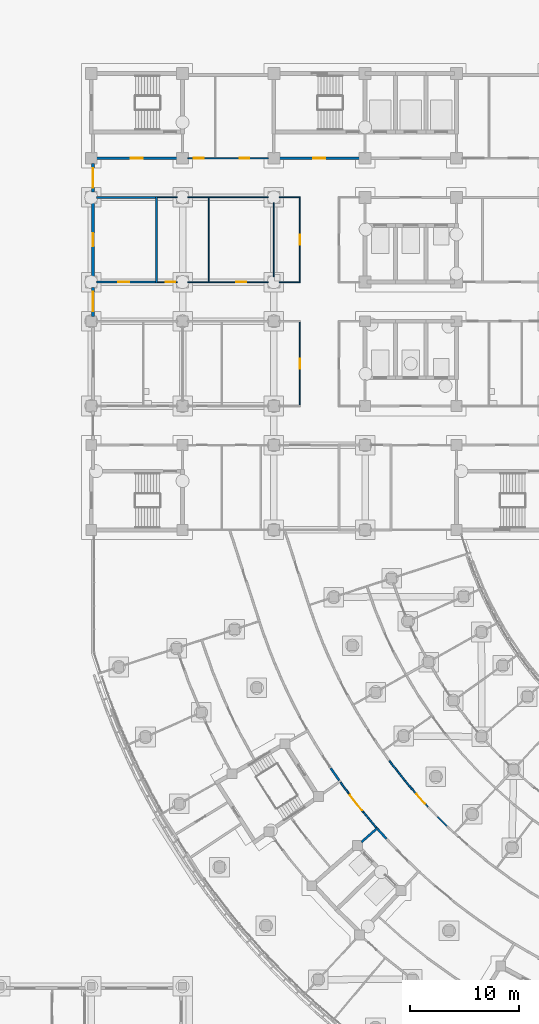
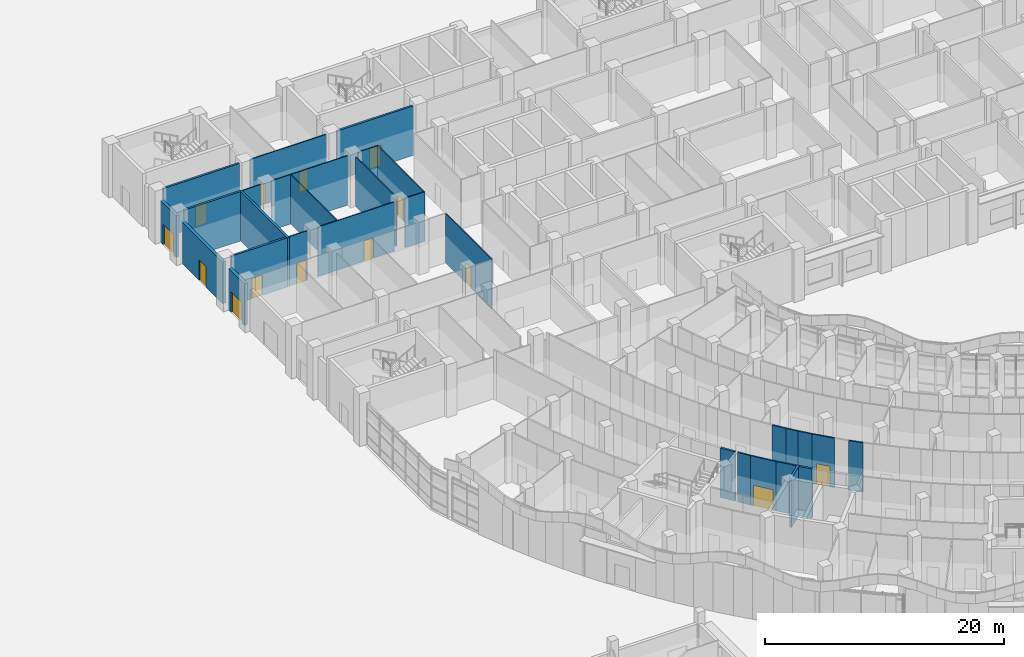
# One storey, part 66 of 146: 30 walls, 14 doors, 14 openings.
"""IFC4 building model written with IfcOpenShell, lengths in metres."""

from ifc_helpers import new_model, si_unit, direction, frame, frame_2d, origin, place, context, subcontext, project, spatial, rectangle, extrude, material, layer, layer_set, type_object, element, fill, save


model = new_model("IFC4")

# Units and contexts
model_context = context("Model", 3, precision=1e-05, world=origin(), true_north=direction((0.0, 1.0)))
body_context = subcontext(model_context, "Body", "Model", "MODEL_VIEW")
ifc_project = project(units=[si_unit("LENGTHUNIT", "METRE"), si_unit("AREAUNIT", "SQUARE_METRE"), si_unit("VOLUMEUNIT", "CUBIC_METRE"), si_unit("PLANEANGLEUNIT", "RADIAN"), si_unit("MASSUNIT", "GRAM", prefix="KILO")], contexts=[model_context])

# Site, building, storey
site_placement = place(None, origin())
site = spatial("IfcSite", under=ifc_project, at=site_placement, CompositionType="ELEMENT")
building_placement = place(site_placement, origin())
building = spatial("IfcBuilding", under=site, at=building_placement, Name="Bougainvillea Quay General Hospital", CompositionType="ELEMENT")
storey_placement = place(building_placement, origin())
storey = spatial("IfcBuildingStorey", under=building, at=storey_placement, Name="L00", CompositionType="ELEMENT", Elevation=0.0)

# Wall, opening, door
ifc_material_1 = material(Name="Pale stone rainscreen cladding on insulated masonry backing, pale stone", Category="masonry")
ifc_layer_1 = layer(ifc_material_1, 0.300048828125)
ifc_layer_set_1 = layer_set([ifc_layer_1], Name="Pale stone rainscreen cladding on insulated masonry backing, pale stone")
wall_type_1 = type_object("IfcWallType", Name="External wall pale stone rainscreen 300", PredefinedType="STANDARD", material=ifc_layer_set_1)
wall_1_placement = place(storey_placement, frame((42.14990234375, 151.300048828125, 0.0), z_axis=(0.0, 0.0, 1.0), x_axis=(0.0, -1.0, 0.0)))
wall_1 = element("IfcWall", 1, at=wall_1_placement, inside=storey, type_object=wall_type_1, Name="External wall wall/V4/L00/p0/02b", PredefinedType="STANDARD", context=body_context, shape_type="SweptSolid", body=[
    extrude(rectangle(XDim=2.60009765625, YDim=0.300048828125, at=frame_2d((1.300048828125, 0.0))), origin(), (0.0, 0.0, 1.0), 4.25),
])
opening_1_placement = place(wall_1_placement, frame((0.39990234375, 0.0, 0.0)))
opening_1 = element("IfcOpeningElement", 2, at=opening_1_placement, cuts=wall_1, Name="Opening L00.325", PredefinedType="OPENING", context=body_context, shape_type="SweptSolid", body=[
    extrude(rectangle(XDim=1.800048828125, YDim=2.10009765625, at=frame_2d((0.89990234375, 1.050048828125))), frame((0.0, 0.159912109375, 0.0), z_axis=(0.0, -1.0, 0.0), x_axis=(1.0, 0.0, 0.0)), (0.0, 0.0, 1.0), 0.320068359375),
])
ifc_material_2 = material(Name="Steel door set, painted, with vision panels", Category="steel")
door_type_1 = type_object("IfcDoorType", Name="Escape door 1800x2100", OperationType="DOUBLE_DOOR_SINGLE_SWING", PredefinedType="DOOR", material=ifc_material_2)
door_1_placement = place(opening_1_placement, frame((1.800048828125, 0.0, 0.0), z_axis=(0.0, 0.0, 1.0), x_axis=(-1.0, 0.0, 0.0)))
door_1 = element("IfcDoor", 3, at=door_1_placement, inside=storey, type_object=door_type_1, Name="Escape door 1", OperationType="SINGLE_SWING_LEFT", OverallHeight=2.10009765625, OverallWidth=1.800048828125, PredefinedType="DOOR", context=body_context, shape_type="SweptSolid", body=[
    extrude(rectangle(XDim=1.800048828125, YDim=2.10009765625, at=frame_2d((0.89990234375, 1.050048828125))), frame((0.0, 0.02490234375, 0.0), z_axis=(0.0, -1.0, 0.0), x_axis=(1.0, 0.0, 0.0)), (0.0, 0.0, 1.0), 0.050048828125),
])
fill(opening_1, door_1)

wall_2_placement = place(storey_placement, frame((42.14990234375, 147.699951171875, 0.0), z_axis=(0.0, 0.0, 1.0), x_axis=(0.0, -1.0, 0.0)))
wall_2 = element("IfcWall", 4, at=wall_2_placement, inside=storey, type_object=wall_type_1, Name="External wall wall/V4/L00/p0/02c", PredefinedType="STANDARD", context=body_context, shape_type="SweptSolid", body=[
    extrude(rectangle(XDim=6.800048828125, YDim=0.300048828125, at=frame_2d((3.39990234375, 0.0))), origin(), (0.0, 0.0, 1.0), 4.25),
])
opening_2_placement = place(wall_2_placement, frame((2.800048828125, 0.0, 0.0)))
opening_2 = element("IfcOpeningElement", 5, at=opening_2_placement, cuts=wall_2, Name="Opening L00.356", PredefinedType="OPENING", context=body_context, shape_type="SweptSolid", body=[
    extrude(rectangle(XDim=1.199951171875, YDim=2.10009765625, at=frame_2d((0.60009765625, 1.050048828125))), frame((0.0, 0.159912109375, 0.0), z_axis=(0.0, -1.0, 0.0), x_axis=(1.0, 0.0, 0.0)), (0.0, 0.0, 1.0), 0.320068359375),
])
ifc_material_3 = material(Name="Steel door set, painted", Category="steel")
door_type_2 = type_object("IfcDoorType", Name="Service door 1200x2100", OperationType="DOUBLE_DOOR_SINGLE_SWING", PredefinedType="DOOR", material=ifc_material_3)
door_2_placement = place(opening_2_placement, frame((1.199951171875, 0.0, 0.0), z_axis=(0.0, 0.0, 1.0), x_axis=(-1.0, 0.0, 0.0)))
door_2 = element("IfcDoor", 6, at=door_2_placement, inside=storey, type_object=door_type_2, Name="Fire control room door", OperationType="SINGLE_SWING_LEFT", OverallHeight=2.10009765625, OverallWidth=1.199951171875, PredefinedType="DOOR", context=body_context, shape_type="SweptSolid", body=[
    extrude(rectangle(XDim=1.199951171875, YDim=2.10009765625, at=frame_2d((0.60009765625, 1.050048828125))), frame((0.0, 0.02490234375, 0.0), z_axis=(0.0, -1.0, 0.0), x_axis=(1.0, 0.0, 0.0)), (0.0, 0.0, 1.0), 0.050048828125),
])
fill(opening_2, door_2)

wall_3_placement = place(storey_placement, frame((42.14990234375, 139.89990234375, 0.0), z_axis=(0.0, 0.0, 1.0), x_axis=(0.0, -1.0, 0.0)))
wall_3 = element("IfcWall", 7, at=wall_3_placement, inside=storey, type_object=wall_type_1, Name="External wall wall/V4/L00/p0/02d", PredefinedType="STANDARD", context=body_context, shape_type="SweptSolid", body=[
    extrude(rectangle(XDim=2.64990234375, YDim=0.300048828125, at=frame_2d((1.324951171875, 0.0))), origin(), (0.0, 0.0, 1.0), 4.25),
])
opening_3_placement = place(wall_3_placement, frame((0.39990234375, 0.0, 0.0)))
opening_3 = element("IfcOpeningElement", 8, at=opening_3_placement, cuts=wall_3, Name="Opening L00.328", PredefinedType="OPENING", context=body_context, shape_type="SweptSolid", body=[
    extrude(rectangle(XDim=1.800048828125, YDim=2.10009765625, at=frame_2d((0.89990234375, 1.050048828125))), frame((0.0, 0.159912109375, 0.0), z_axis=(0.0, -1.0, 0.0), x_axis=(1.0, 0.0, 0.0)), (0.0, 0.0, 1.0), 0.320068359375),
])
door_3_placement = place(opening_3_placement, frame((1.800048828125, 0.0, 0.0), z_axis=(0.0, 0.0, 1.0), x_axis=(-1.0, 0.0, 0.0)))
door_3 = element("IfcDoor", 9, at=door_3_placement, inside=storey, type_object=door_type_1, Name="Escape door 4", OperationType="SINGLE_SWING_LEFT", OverallHeight=2.10009765625, OverallWidth=1.800048828125, PredefinedType="DOOR", context=body_context, shape_type="SweptSolid", body=[
    extrude(rectangle(XDim=1.800048828125, YDim=2.10009765625, at=frame_2d((0.89990234375, 1.050048828125))), frame((0.0, 0.02490234375, 0.0), z_axis=(0.0, -1.0, 0.0), x_axis=(1.0, 0.0, 0.0)), (0.0, 0.0, 1.0), 0.050048828125),
])
fill(opening_3, door_3)

# Wall
ifc_material_4 = material(Name="Gypsum board partition on steel studs", Category="steel")
ifc_layer_2 = layer(ifc_material_4, 0.10009765625)
ifc_layer_set_2 = layer_set([ifc_layer_2], Name="Gypsum board partition on steel studs")
wall_type_2 = type_object("IfcWallType", Name="Partition 100 Gypsum board partition", PredefinedType="PARTITIONING", material=ifc_layer_set_2)
wall_4_placement = place(storey_placement, frame((61.25, 140.39990234375, 0.0), z_axis=(0.0, 0.0, 1.0), x_axis=(-1.0, 0.0, 0.0)))
element("IfcWall", 10, at=wall_4_placement, inside=storey, type_object=wall_type_2, Name="Partition 100 mm", PredefinedType="PARTITIONING", context=body_context, shape_type="SweptSolid", body=[
    extrude(rectangle(XDim=1.949951171875, YDim=0.10009765625, at=frame_2d((0.97509765625, 0.0))), origin(), (0.0, 0.0, 1.0), 5.050048828125),
])

# Wall, opening, door
wall_5_placement = place(storey_placement, frame((58.300048828125, 140.39990234375, 0.0), z_axis=(0.0, 0.0, 1.0), x_axis=(-1.0, 0.0, 0.0)))
wall_5 = element("IfcWall", 11, at=wall_5_placement, inside=storey, type_object=wall_type_2, Name="Partition 100 mm", PredefinedType="PARTITIONING", context=body_context, shape_type="SweptSolid", body=[
    extrude(rectangle(XDim=7.400146484375, YDim=0.10009765625, at=frame_2d((3.7001953125, 0.0))), origin(), (0.0, 0.0, 1.0), 5.050048828125),
])
opening_4_placement = place(wall_5_placement, frame((2.050048828125, 0.0, 0.0)))
opening_4 = element("IfcOpeningElement", 12, at=opening_4_placement, cuts=wall_5, Name="Opening L00.173", PredefinedType="OPENING", context=body_context, shape_type="SweptSolid", body=[
    extrude(rectangle(XDim=0.89990234375, YDim=2.10009765625, at=frame_2d((0.449951171875, 1.050048828125))), frame((0.0, 0.06005859375, 0.0), z_axis=(0.0, -1.0, 0.0), x_axis=(1.0, 0.0, 0.0)), (0.0, 0.0, 1.0), 0.1201171875),
])
ifc_material_5 = material(Name="Solid-core timber door leaf in steel frame", Category="steel")
door_type_3 = type_object("IfcDoorType", Name="Single leaf door 900x2100", OperationType="NOTDEFINED", PredefinedType="DOOR", material=ifc_material_5)
door_4_placement = place(opening_4_placement, frame((0.89990234375, 0.0, 0.0), z_axis=(0.0, 0.0, 1.0), x_axis=(-1.0, 0.0, 0.0)))
door_4 = element("IfcDoor", 13, at=door_4_placement, inside=storey, type_object=door_type_3, Name="DT07 L00.173", OperationType="SINGLE_SWING_RIGHT", OverallHeight=2.10009765625, OverallWidth=0.89990234375, PredefinedType="DOOR", context=body_context, shape_type="SweptSolid", body=[
    extrude(rectangle(XDim=0.89990234375, YDim=2.10009765625, at=frame_2d((0.449951171875, 1.050048828125))), frame((0.0, 0.02490234375, 0.0), z_axis=(0.0, -1.0, 0.0), x_axis=(1.0, 0.0, 0.0)), (0.0, 0.0, 1.0), 0.050048828125),
])
fill(opening_4, door_4)

wall_6_placement = place(storey_placement, frame((49.89990234375, 140.39990234375, 0.0), z_axis=(0.0, 0.0, 1.0), x_axis=(-1.0, 0.0, 0.0)))
wall_6 = element("IfcWall", 14, at=wall_6_placement, inside=storey, type_object=wall_type_2, Name="Partition 100 mm", PredefinedType="PARTITIONING", context=body_context, shape_type="SweptSolid", body=[
    extrude(rectangle(XDim=1.7998046875, YDim=0.10009765625, at=frame_2d((0.89990234375, 0.0))), origin(), (0.0, 0.0, 1.0), 5.050048828125),
])
opening_5_placement = place(wall_6_placement, frame((0.14990234375, 0.0, 0.0)))
opening_5 = element("IfcOpeningElement", 15, at=opening_5_placement, cuts=wall_6, Name="Opening L00.172", PredefinedType="OPENING", context=body_context, shape_type="SweptSolid", body=[
    extrude(rectangle(XDim=0.89990234375, YDim=2.10009765625, at=frame_2d((0.449951171875, 1.050048828125))), frame((0.0, 0.06005859375, 0.0), z_axis=(0.0, -1.0, 0.0), x_axis=(1.0, 0.0, 0.0)), (0.0, 0.0, 1.0), 0.1201171875),
])
door_5_placement = place(opening_5_placement, frame((0.89990234375, 0.0, 0.0), z_axis=(0.0, 0.0, 1.0), x_axis=(-1.0, 0.0, 0.0)))
door_5 = element("IfcDoor", 16, at=door_5_placement, inside=storey, type_object=door_type_3, Name="DT07 L00.172", OperationType="SINGLE_SWING_RIGHT", OverallHeight=2.10009765625, OverallWidth=0.89990234375, PredefinedType="DOOR", context=body_context, shape_type="SweptSolid", body=[
    extrude(rectangle(XDim=0.89990234375, YDim=2.10009765625, at=frame_2d((0.449951171875, 1.050048828125))), frame((0.0, 0.02490234375, 0.0), z_axis=(0.0, -1.0, 0.0), x_axis=(1.0, 0.0, 0.0)), (0.0, 0.0, 1.0), 0.050048828125),
])
fill(opening_5, door_5)

# Walls
wall_7_placement = place(storey_placement, frame((61.25, 148.199951171875, 0.0), z_axis=(0.0, 0.0, 1.0), x_axis=(-1.0, 0.0, 0.0)))
element("IfcWall", 17, at=wall_7_placement, inside=storey, type_object=wall_type_2, Name="Partition 100 mm", PredefinedType="PARTITIONING", context=body_context, shape_type="SweptSolid", body=[
    extrude(rectangle(XDim=1.949951171875, YDim=0.10009765625, at=frame_2d((0.97509765625, 0.0))), origin(), (0.0, 0.0, 1.0), 5.050048828125),
])
wall_8_placement = place(storey_placement, frame((58.300048828125, 148.199951171875, 0.0), z_axis=(0.0, 0.0, 1.0), x_axis=(-1.0, 0.0, 0.0)))
element("IfcWall", 18, at=wall_8_placement, inside=storey, type_object=wall_type_2, Name="Partition 100 mm", PredefinedType="PARTITIONING", context=body_context, shape_type="SweptSolid", body=[
    extrude(rectangle(XDim=7.400146484375, YDim=0.10009765625, at=frame_2d((3.7001953125, 0.0))), origin(), (0.0, 0.0, 1.0), 5.050048828125),
])
wall_9_placement = place(storey_placement, frame((49.89990234375, 148.199951171875, 0.0), z_axis=(0.0, 0.0, 1.0), x_axis=(-1.0, 0.0, 0.0)))
element("IfcWall", 19, at=wall_9_placement, inside=storey, type_object=wall_type_2, Name="Partition 100 mm", PredefinedType="PARTITIONING", context=body_context, shape_type="SweptSolid", body=[
    extrude(rectangle(XDim=1.7998046875, YDim=0.10009765625, at=frame_2d((0.89990234375, 0.0))), origin(), (0.0, 0.0, 1.0), 5.050048828125),
])

# Wall, openings, doors
wall_10_placement = place(storey_placement, frame((50.89990234375, 151.800048828125, 0.0), z_axis=(0.0, 0.0, 1.0), x_axis=(1.0, 0.0, 0.0)))
wall_10 = element("IfcWall", 20, at=wall_10_placement, inside=storey, type_object=wall_type_2, Name="Partition 100 mm", PredefinedType="PARTITIONING", context=body_context, shape_type="SweptSolid", body=[
    extrude(rectangle(XDim=7.400146484375, YDim=0.10009765625, at=frame_2d((3.7001953125, 0.0))), origin(), (0.0, 0.0, 1.0), 5.050048828125),
])
opening_6_placement = place(wall_10_placement, frame((0.549072265625, 0.0, 0.0)))
opening_6 = element("IfcOpeningElement", 21, at=opening_6_placement, cuts=wall_10, Name="Opening L00.174", PredefinedType="OPENING", context=body_context, shape_type="SweptSolid", body=[
    extrude(rectangle(XDim=0.89990234375, YDim=2.10009765625, at=frame_2d((0.449951171875, 1.050048828125))), frame((0.0, 0.06005859375, 0.0), z_axis=(0.0, -1.0, 0.0), x_axis=(1.0, 0.0, 0.0)), (0.0, 0.0, 1.0), 0.1201171875),
])
opening_7_placement = place(wall_10_placement, frame((4.7490234375, 0.0, 0.0)))
opening_7 = element("IfcOpeningElement", 22, at=opening_7_placement, cuts=wall_10, Name="Opening L00.175", PredefinedType="OPENING", context=body_context, shape_type="SweptSolid", body=[
    extrude(rectangle(XDim=0.89990234375, YDim=2.10009765625, at=frame_2d((0.449951171875, 1.050048828125))), frame((0.0, 0.06005859375, 0.0), z_axis=(0.0, -1.0, 0.0), x_axis=(1.0, 0.0, 0.0)), (0.0, 0.0, 1.0), 0.1201171875),
])
door_6_placement = place(opening_6_placement, origin())
door_6 = element("IfcDoor", 23, at=door_6_placement, inside=storey, type_object=door_type_3, Name="DT07 L00.174", OperationType="SINGLE_SWING_LEFT", OverallHeight=2.10009765625, OverallWidth=0.89990234375, PredefinedType="DOOR", context=body_context, shape_type="SweptSolid", body=[
    extrude(rectangle(XDim=0.89990234375, YDim=2.10009765625, at=frame_2d((0.449951171875, 1.050048828125))), frame((0.0, 0.02490234375, 0.0), z_axis=(0.0, -1.0, 0.0), x_axis=(1.0, 0.0, 0.0)), (0.0, 0.0, 1.0), 0.050048828125),
])
fill(opening_6, door_6)
door_7_placement = place(opening_7_placement, origin())
door_7 = element("IfcDoor", 24, at=door_7_placement, inside=storey, type_object=door_type_3, Name="DT07 L00.175", OperationType="SINGLE_SWING_RIGHT", OverallHeight=2.10009765625, OverallWidth=0.89990234375, PredefinedType="DOOR", context=body_context, shape_type="SweptSolid", body=[
    extrude(rectangle(XDim=0.89990234375, YDim=2.10009765625, at=frame_2d((0.449951171875, 1.050048828125))), frame((0.0, 0.02490234375, 0.0), z_axis=(0.0, -1.0, 0.0), x_axis=(1.0, 0.0, 0.0)), (0.0, 0.0, 1.0), 0.050048828125),
])
fill(opening_7, door_7)

# Wall, opening, door
wall_11_placement = place(storey_placement, frame((61.199951171875, 129.050048828125, 0.0), z_axis=(0.0, 0.0, 1.0), x_axis=(0.0, 1.0, 0.0)))
wall_11 = element("IfcWall", 25, at=wall_11_placement, inside=storey, type_object=wall_type_2, Name="Partition 100 mm", PredefinedType="PARTITIONING", context=body_context, shape_type="SweptSolid", body=[
    extrude(rectangle(XDim=7.699951171875, YDim=0.10009765625, at=frame_2d((3.85009765625, 0.0))), origin(), (0.0, 0.0, 1.0), 5.050048828125),
])
opening_8_placement = place(wall_11_placement, frame((3.39990234375, 0.0, 0.0)))
opening_8 = element("IfcOpeningElement", 26, at=opening_8_placement, cuts=wall_11, Name="Opening L00.135", PredefinedType="OPENING", context=body_context, shape_type="SweptSolid", body=[
    extrude(rectangle(XDim=0.89990234375, YDim=2.10009765625, at=frame_2d((0.449951171875, 1.050048828125))), frame((0.0, 0.06005859375, 0.0), z_axis=(0.0, -1.0, 0.0), x_axis=(1.0, 0.0, 0.0)), (0.0, 0.0, 1.0), 0.1201171875),
])
door_8_placement = place(opening_8_placement, origin())
door_8 = element("IfcDoor", 27, at=door_8_placement, inside=storey, type_object=door_type_3, Name="DT07 L00.135", OperationType="SINGLE_SWING_LEFT", OverallHeight=2.10009765625, OverallWidth=0.89990234375, PredefinedType="DOOR", context=body_context, shape_type="SweptSolid", body=[
    extrude(rectangle(XDim=0.89990234375, YDim=2.10009765625, at=frame_2d((0.449951171875, 1.050048828125))), frame((0.0, 0.02490234375, 0.0), z_axis=(0.0, -1.0, 0.0), x_axis=(1.0, 0.0, 0.0)), (0.0, 0.0, 1.0), 0.050048828125),
])
fill(opening_8, door_8)

# Walls
wall_12_placement = place(storey_placement, frame((52.800048828125, 140.449951171875, 0.0), z_axis=(0.0, 0.0, 1.0), x_axis=(0.0, 1.0, 0.0)))
element("IfcWall", 28, at=wall_12_placement, inside=storey, type_object=wall_type_2, Name="Partition 100 mm", PredefinedType="PARTITIONING", context=body_context, shape_type="SweptSolid", body=[
    extrude(rectangle(XDim=7.699951171875, YDim=0.10009765625, at=frame_2d((3.85009765625, 0.0))), origin(), (0.0, 0.0, 1.0), 5.050048828125),
])
wall_13_placement = place(storey_placement, frame((58.800048828125, 140.89990234375, 0.0), z_axis=(0.0, 0.0, 1.0), x_axis=(0.0, 1.0, 0.0)))
element("IfcWall", 29, at=wall_13_placement, inside=storey, type_object=wall_type_2, Name="Partition 100 mm", PredefinedType="PARTITIONING", context=body_context, shape_type="SweptSolid", body=[
    extrude(rectangle(XDim=6.800048828125, YDim=0.10009765625, at=frame_2d((3.39990234375, 0.0))), origin(), (0.0, 0.0, 1.0), 5.050048828125),
])

# Wall, opening, door
wall_14_placement = place(storey_placement, frame((61.199951171875, 140.449951171875, 0.0), z_axis=(0.0, 0.0, 1.0), x_axis=(0.0, 1.0, 0.0)))
wall_14 = element("IfcWall", 30, at=wall_14_placement, inside=storey, type_object=wall_type_2, Name="Partition 100 mm", PredefinedType="PARTITIONING", context=body_context, shape_type="SweptSolid", body=[
    extrude(rectangle(XDim=7.699951171875, YDim=0.10009765625, at=frame_2d((3.85009765625, 0.0))), origin(), (0.0, 0.0, 1.0), 5.050048828125),
])
opening_9_placement = place(wall_14_placement, frame((3.39990234375, 0.0, 0.0)))
opening_9 = element("IfcOpeningElement", 31, at=opening_9_placement, cuts=wall_14, Name="Opening L00.176", PredefinedType="OPENING", context=body_context, shape_type="SweptSolid", body=[
    extrude(rectangle(XDim=0.89990234375, YDim=2.10009765625, at=frame_2d((0.449951171875, 1.050048828125))), frame((0.0, 0.06005859375, 0.0), z_axis=(0.0, -1.0, 0.0), x_axis=(1.0, 0.0, 0.0)), (0.0, 0.0, 1.0), 0.1201171875),
])
door_9_placement = place(opening_9_placement, origin())
door_9 = element("IfcDoor", 32, at=door_9_placement, inside=storey, type_object=door_type_3, Name="DT07 L00.176", OperationType="SINGLE_SWING_LEFT", OverallHeight=2.10009765625, OverallWidth=0.89990234375, PredefinedType="DOOR", context=body_context, shape_type="SweptSolid", body=[
    extrude(rectangle(XDim=0.89990234375, YDim=2.10009765625, at=frame_2d((0.449951171875, 1.050048828125))), frame((0.0, 0.02490234375, 0.0), z_axis=(0.0, -1.0, 0.0), x_axis=(1.0, 0.0, 0.0)), (0.0, 0.0, 1.0), 0.050048828125),
])
fill(opening_9, door_9)

ifc_material_6 = material(Name="Gypsum board partition on steel studs, insulated", Category="steel")
ifc_layer_3 = layer(ifc_material_6, 0.14990234375)
ifc_layer_set_3 = layer_set([ifc_layer_3], Name="Gypsum board partition on steel studs, insulated")
wall_type_3 = type_object("IfcWallType", Name="Partition 150 Gypsum board partition EI 30", PredefinedType="PARTITIONING", material=ifc_layer_set_3)
wall_15_placement = place(storey_placement, frame((65.646728515625, 93.401123046875, 0.0), z_axis=(0.0, 0.0, 1.0), x_axis=(0.615999292534, -0.787746705228, 0.0)))
wall_15 = element("IfcWall", 33, at=wall_15_placement, inside=storey, type_object=wall_type_3, Name="Partition 150 mm EI 30", PredefinedType="PARTITIONING", context=body_context, shape_type="SweptSolid", body=[
    extrude(rectangle(XDim=2.280029296875, YDim=0.14990234375, at=frame_2d((1.14013671875, 0.0))), origin(), (0.0, 0.0, 1.0), 5.050048828125),
])
opening_10_placement = place(wall_15_placement, frame((0.239990234375, 0.0, 0.0)))
opening_10 = element("IfcOpeningElement", 34, at=opening_10_placement, cuts=wall_15, Name="Opening L00.232", PredefinedType="OPENING", context=body_context, shape_type="SweptSolid", body=[
    extrude(rectangle(XDim=1.800048828125, YDim=2.10009765625, at=frame_2d((0.89990234375, 1.050048828125))), frame((0.0, 0.0849609375, 0.0), z_axis=(0.0, -1.0, 0.0), x_axis=(1.0, 0.0, 0.0)), (0.0, 0.0, 1.0), 0.169921875),
])
ifc_material_7 = material(Name="Solid-core timber door leaves in steel frame", Category="steel")
door_type_4 = type_object("IfcDoorType", Name="Double leaf door 1800x2100", OperationType="DOUBLE_DOOR_SINGLE_SWING", PredefinedType="DOOR", material=ifc_material_7)
door_10_placement = place(opening_10_placement, origin())
door_10 = element("IfcDoor", 35, at=door_10_placement, inside=storey, type_object=door_type_4, Name="DT08 L00.232", OperationType="DOUBLE_DOOR_SINGLE_SWING", OverallHeight=2.10009765625, OverallWidth=1.800048828125, PredefinedType="DOOR", context=body_context, shape_type="SweptSolid", body=[
    extrude(rectangle(XDim=1.800048828125, YDim=2.10009765625, at=frame_2d((0.89990234375, 1.050048828125))), frame((0.0, 0.02490234375, 0.0), z_axis=(0.0, -1.0, 0.0), x_axis=(1.0, 0.0, 0.0)), (0.0, 0.0, 1.0), 0.050048828125),
])
fill(opening_10, door_10)

# Wall
wall_16_placement = place(storey_placement, frame((67.051513671875, 91.60888671875, 0.0), z_axis=(0.0, 0.0, 1.0), x_axis=(0.645369063346, -0.763870913228, 0.0)))
element("IfcWall", 36, at=wall_16_placement, inside=storey, type_object=wall_type_3, Name="Partition 150 mm EI 30", PredefinedType="PARTITIONING", context=body_context, shape_type="SweptSolid", body=[
    extrude(rectangle(XDim=1.83349609375, YDim=0.14990234375, at=frame_2d((0.916748046875, 0.0))), origin(), (0.0, 0.0, 1.0), 5.050048828125),
])

# Wall, opening, door
wall_17_placement = place(storey_placement, frame((71.666748046875, 93.576904296875, 0.0), z_axis=(0.0, 0.0, 1.0), x_axis=(0.668733315137, -0.743502355898, 0.0)))
wall_17 = element("IfcWall", 37, at=wall_17_placement, inside=storey, type_object=wall_type_3, Name="Partition 150 mm EI 30", PredefinedType="PARTITIONING", context=body_context, shape_type="SweptSolid", body=[
    extrude(rectangle(XDim=1.98193359375, YDim=0.14990234375, at=frame_2d((0.990966796875, 0.0))), origin(), (0.0, 0.0, 1.0), 5.050048828125),
])
opening_11_placement = place(wall_17_placement, frame((0.390869140625, 0.0, 0.0)))
opening_11 = element("IfcOpeningElement", 38, at=opening_11_placement, cuts=wall_17, Name="Opening L00.235", PredefinedType="OPENING", context=body_context, shape_type="SweptSolid", body=[
    extrude(rectangle(XDim=1.199951171875, YDim=2.10009765625, at=frame_2d((0.60009765625, 1.050048828125))), frame((0.0, 0.0849609375, 0.0), z_axis=(0.0, -1.0, 0.0), x_axis=(1.0, 0.0, 0.0)), (0.0, 0.0, 1.0), 0.169921875),
])
door_type_5 = type_object("IfcDoorType", Name="Single leaf door 1200x2100", OperationType="NOTDEFINED", PredefinedType="DOOR", material=ifc_material_5)
door_11_placement = place(opening_11_placement, frame((1.199951171875, 0.0, 0.0), z_axis=(0.0, 0.0, 1.0), x_axis=(-1.0, 0.0, 0.0)))
door_11 = element("IfcDoor", 39, at=door_11_placement, inside=storey, type_object=door_type_5, Name="DT13 L00.235", OperationType="SINGLE_SWING_RIGHT", OverallHeight=2.10009765625, OverallWidth=1.199951171875, PredefinedType="DOOR", context=body_context, shape_type="SweptSolid", body=[
    extrude(rectangle(XDim=1.199951171875, YDim=2.10009765625, at=frame_2d((0.60009765625, 1.050048828125))), frame((0.0, 0.02490234375, 0.0), z_axis=(0.0, -1.0, 0.0), x_axis=(1.0, 0.0, 0.0)), (0.0, 0.0, 1.0), 0.050048828125),
])
fill(opening_11, door_11)

# Walls
wall_18_placement = place(storey_placement, frame((64.939208984375, 94.373779296875, 0.0), z_axis=(0.0, 0.0, 1.0), x_axis=(0.589904843898, -0.807472770529, 0.0)))
element("IfcWall", 40, at=wall_18_placement, inside=storey, type_object=wall_type_3, Name="Partition 150 mm EI 30", PredefinedType="PARTITIONING", context=body_context, shape_type="SweptSolid", body=[
    extrude(rectangle(XDim=1.205078125, YDim=0.14990234375, at=frame_2d((0.6025390625, 0.0))), origin(), (0.0, 0.0, 1.0), 5.050048828125),
])
wall_19_placement = place(storey_placement, frame((69.43310546875, 96.3623046875, 0.0), z_axis=(0.0, 0.0, 1.0), x_axis=(0.606457599152, -0.795115828311, 0.0)))
element("IfcWall", 41, at=wall_19_placement, inside=storey, type_object=wall_type_3, Name="Partition 150 mm EI 30", PredefinedType="PARTITIONING", context=body_context, shape_type="SweptSolid", body=[
    extrude(rectangle(XDim=1.242431640625, YDim=0.14990234375, at=frame_2d((0.62109375, 0.0))), origin(), (0.0, 0.0, 1.0), 5.050048828125),
])
wall_20_placement = place(storey_placement, frame((70.86865234375, 94.525390625, 0.0), z_axis=(0.0, 0.0, 1.0), x_axis=(0.645236922374, -0.763982535144, 0.0)))
element("IfcWall", 42, at=wall_20_placement, inside=storey, type_object=wall_type_3, Name="Partition 150 mm EI 30", PredefinedType="PARTITIONING", context=body_context, shape_type="SweptSolid", body=[
    extrude(rectangle(XDim=1.241943359375, YDim=0.14990234375, at=frame_2d((0.62109375, 0.0))), origin(), (0.0, 0.0, 1.0), 5.050048828125),
])
wall_21_placement = place(storey_placement, frame((73.850830078125, 91.21142578125, 0.0), z_axis=(0.0, 0.0, 1.0), x_axis=(0.709168733207, -0.70503879882, 0.0)))
element("IfcWall", 43, at=wall_21_placement, inside=storey, type_object=wall_type_3, Name="Partition 150 mm EI 30", PredefinedType="PARTITIONING", context=body_context, shape_type="SweptSolid", body=[
    extrude(rectangle(XDim=1.241455078125, YDim=0.14990234375, at=frame_2d((0.62060546875, 0.0))), origin(), (0.0, 0.0, 1.0), 5.050048828125),
])
wall_22_placement = place(storey_placement, frame((70.186767578125, 95.376953125, 0.0), z_axis=(0.0, 0.0, 1.0), x_axis=(0.626301399266, -0.779581013928, 0.0)))
element("IfcWall", 44, at=wall_22_placement, inside=storey, type_object=wall_type_3, Name="Partition 150 mm EI 30", PredefinedType="PARTITIONING", context=body_context, shape_type="SweptSolid", body=[
    extrude(rectangle(XDim=1.092529296875, YDim=0.14990234375, at=frame_2d((0.54638671875, 0.0))), origin(), (0.0, 0.0, 1.0), 5.050048828125),
])

# Wall, opening, door
ifc_material_8 = material(Name="Fire-rated autoclaved aerated block wall, plastered")
ifc_layer_4 = layer(ifc_material_8, 0.199951171875)
ifc_layer_set_4 = layer_set([ifc_layer_4], Name="Fire-rated autoclaved aerated block wall, plastered")
wall_type_4 = type_object("IfcWallType", Name="Partition 200 Fire-rated autoclaved aerated block wall EI 120", PredefinedType="SOLIDWALL", material=ifc_layer_set_4)
wall_23_placement = place(storey_placement, frame((59.300048828125, 151.800048828125, 0.0), z_axis=(0.0, 0.0, 1.0), x_axis=(1.0, 0.0, 0.0)))
wall_23 = element("IfcWall", 45, at=wall_23_placement, inside=storey, type_object=wall_type_4, Name="Partition 200 mm EI 120", PredefinedType="SOLIDWALL", context=body_context, shape_type="SweptSolid", body=[
    extrude(rectangle(XDim=7.39990234375, YDim=0.199951171875, at=frame_2d((3.699951171875, 0.0))), origin(), (0.0, 0.0, 1.0), 5.050048828125),
])
opening_12_placement = place(wall_23_placement, frame((3.14990234375, 0.0, 0.0)))
opening_12 = element("IfcOpeningElement", 46, at=opening_12_placement, cuts=wall_23, Name="Opening L00.043", PredefinedType="OPENING", context=body_context, shape_type="SweptSolid", body=[
    extrude(rectangle(XDim=1.10009765625, YDim=2.10009765625, at=frame_2d((0.550048828125, 1.050048828125))), frame((0.0, 0.10986328125, 0.0), z_axis=(0.0, -1.0, 0.0), x_axis=(1.0, 0.0, 0.0)), (0.0, 0.0, 1.0), 0.219970703125),
])
ifc_material_9 = material(Name="Steel fire door leaf in steel frame", Category="steel")
door_type_6 = type_object("IfcDoorType", Name="Steel single leaf door 1100x2100 FD60", OperationType="NOTDEFINED", PredefinedType="DOOR", material=ifc_material_9)
door_12_placement = place(opening_12_placement, origin())
door_12 = element("IfcDoor", 47, at=door_12_placement, inside=storey, type_object=door_type_6, Name="DT04 L00.043", OperationType="SINGLE_SWING_RIGHT", OverallHeight=2.10009765625, OverallWidth=1.10009765625, PredefinedType="DOOR", context=body_context, shape_type="SweptSolid", body=[
    extrude(rectangle(XDim=1.10009765625, YDim=2.10009765625, at=frame_2d((0.550048828125, 1.050048828125))), frame((0.0, 0.02490234375, 0.0), z_axis=(0.0, -1.0, 0.0), x_axis=(1.0, 0.0, 0.0)), (0.0, 0.0, 1.0), 0.050048828125),
])
fill(opening_12, door_12)

wall_24_placement = place(storey_placement, frame((42.5, 151.800048828125, 0.0), z_axis=(0.0, 0.0, 1.0), x_axis=(1.0, 0.0, 0.0)))
wall_24 = element("IfcWall", 48, at=wall_24_placement, inside=storey, type_object=wall_type_4, Name="Partition 200 mm EI 120", PredefinedType="SOLIDWALL", context=body_context, shape_type="SweptSolid", body=[
    extrude(rectangle(XDim=7.39990234375, YDim=0.199951171875, at=frame_2d((3.699951171875, 0.0))), origin(), (0.0, 0.0, 1.0), 5.050048828125),
])
opening_13_placement = place(wall_24_placement, frame((3.14990234375, 0.0, 0.0)))
opening_13 = element("IfcOpeningElement", 49, at=opening_13_placement, cuts=wall_24, Name="Opening L00.035", PredefinedType="OPENING", context=body_context, shape_type="SweptSolid", body=[
    extrude(rectangle(XDim=1.10009765625, YDim=2.10009765625, at=frame_2d((0.550048828125, 1.050048828125))), frame((0.0, 0.10986328125, 0.0), z_axis=(0.0, -1.0, 0.0), x_axis=(1.0, 0.0, 0.0)), (0.0, 0.0, 1.0), 0.219970703125),
])
door_13_placement = place(opening_13_placement, origin())
door_13 = element("IfcDoor", 50, at=door_13_placement, inside=storey, type_object=door_type_6, Name="DT04 L00.035", OperationType="SINGLE_SWING_RIGHT", OverallHeight=2.10009765625, OverallWidth=1.10009765625, PredefinedType="DOOR", context=body_context, shape_type="SweptSolid", body=[
    extrude(rectangle(XDim=1.10009765625, YDim=2.10009765625, at=frame_2d((0.550048828125, 1.050048828125))), frame((0.0, 0.02490234375, 0.0), z_axis=(0.0, -1.0, 0.0), x_axis=(1.0, 0.0, 0.0)), (0.0, 0.0, 1.0), 0.050048828125),
])
fill(opening_13, door_13)

# Wall
wall_25_placement = place(storey_placement, frame((48.0, 140.300048828125, 0.0), z_axis=(0.0, 0.0, 1.0), x_axis=(0.0, 1.0, 0.0)))
element("IfcWall", 51, at=wall_25_placement, inside=storey, type_object=wall_type_4, Name="Partition 200 mm EI 120", PredefinedType="SOLIDWALL", context=body_context, shape_type="SweptSolid", body=[
    extrude(rectangle(XDim=8.0, YDim=0.199951171875, at=frame_2d((4.0, 0.0))), origin(), (0.0, 0.0, 1.0), 5.050048828125),
])

# Wall, opening, door
wall_26_placement = place(storey_placement, frame((42.5, 140.39990234375, 0.0), z_axis=(0.0, 0.0, 1.0), x_axis=(1.0, 0.0, 0.0)))
wall_26 = element("IfcWall", 52, at=wall_26_placement, inside=storey, type_object=wall_type_4, Name="Partition 200 mm EI 120", PredefinedType="SOLIDWALL", context=body_context, shape_type="SweptSolid", body=[
    extrude(rectangle(XDim=5.39990234375, YDim=0.199951171875, at=frame_2d((2.699951171875, 0.0))), origin(), (0.0, 0.0, 1.0), 5.050048828125),
])
opening_14_placement = place(wall_26_placement, frame((2.0, 0.0, 0.0)))
opening_14 = element("IfcOpeningElement", 53, at=opening_14_placement, cuts=wall_26, Name="Opening L00.171", PredefinedType="OPENING", context=body_context, shape_type="SweptSolid", body=[
    extrude(rectangle(XDim=1.0, YDim=2.10009765625, at=frame_2d((0.5, 1.050048828125))), frame((0.0, 0.10986328125, 0.0), z_axis=(0.0, -1.0, 0.0), x_axis=(1.0, 0.0, 0.0)), (0.0, 0.0, 1.0), 0.219970703125),
])
door_type_7 = type_object("IfcDoorType", Name="Steel single leaf door 1000x2100 FD90", OperationType="NOTDEFINED", PredefinedType="DOOR", material=ifc_material_9)
door_14_placement = place(opening_14_placement, origin())
door_14 = element("IfcDoor", 54, at=door_14_placement, inside=storey, type_object=door_type_7, Name="DT11 L00.171", OperationType="SINGLE_SWING_LEFT", OverallHeight=2.10009765625, OverallWidth=1.0, PredefinedType="DOOR", context=body_context, shape_type="SweptSolid", body=[
    extrude(rectangle(XDim=1.0, YDim=2.10009765625, at=frame_2d((0.5, 1.050048828125))), frame((0.0, 0.02490234375, 0.0), z_axis=(0.0, -1.0, 0.0), x_axis=(1.0, 0.0, 0.0)), (0.0, 0.0, 1.0), 0.050048828125),
])
fill(opening_14, door_14)

# Walls
wall_27_placement = place(storey_placement, frame((42.5, 148.199951171875, 0.0), z_axis=(0.0, 0.0, 1.0), x_axis=(1.0, 0.0, 0.0)))
element("IfcWall", 55, at=wall_27_placement, inside=storey, type_object=wall_type_4, Name="Partition 200 mm EI 120", PredefinedType="SOLIDWALL", context=body_context, shape_type="SweptSolid", body=[
    extrude(rectangle(XDim=5.39990234375, YDim=0.199951171875, at=frame_2d((2.699951171875, 0.0))), origin(), (0.0, 0.0, 1.0), 5.050048828125),
])
wall_28_placement = place(storey_placement, frame((66.869140625, 88.874267578125, 0.0), z_axis=(0.0, 0.0, 1.0), x_axis=(0.751874567132, 0.659306177205, 0.0)))
element("IfcWall", 56, at=wall_28_placement, inside=storey, type_object=wall_type_4, Name="Partition 200 mm EI 120", PredefinedType="SOLIDWALL", context=body_context, shape_type="SweptSolid", body=[
    extrude(rectangle(XDim=2.00439453125, YDim=0.199951171875, at=frame_2d((1.002197265625, 0.0))), origin(), (0.0, 0.0, 1.0), 5.050048828125),
])
wall_29_placement = place(storey_placement, frame((64.035888671875, 95.672119140625, 0.0), z_axis=(0.0, 0.0, 1.0), x_axis=(0.569771647524, -0.821803060153, 0.0)))
element("IfcWall", 57, at=wall_29_placement, inside=storey, type_object=wall_type_4, Name="Partition 200 mm EI 120", PredefinedType="SOLIDWALL", context=body_context, shape_type="SweptSolid", body=[
    extrude(rectangle(XDim=1.37841796875, YDim=0.199951171875, at=frame_2d((0.689208984375, 0.0))), origin(), (0.0, 0.0, 1.0), 5.050048828125),
])
wall_30_placement = place(storey_placement, frame((68.368896484375, 90.0546875, 0.0), z_axis=(0.0, 0.0, 1.0), x_axis=(0.669113274241, -0.74316043102, 0.0)))
element("IfcWall", 58, at=wall_30_placement, inside=storey, type_object=wall_type_4, Name="Partition 200 mm EI 120", PredefinedType="SOLIDWALL", context=body_context, shape_type="SweptSolid", body=[
    extrude(rectangle(XDim=1.180419921875, YDim=0.199951171875, at=frame_2d((0.59033203125, 0.0))), origin(), (0.0, 0.0, 1.0), 5.050048828125),
])

save(model, "model.ifc")
